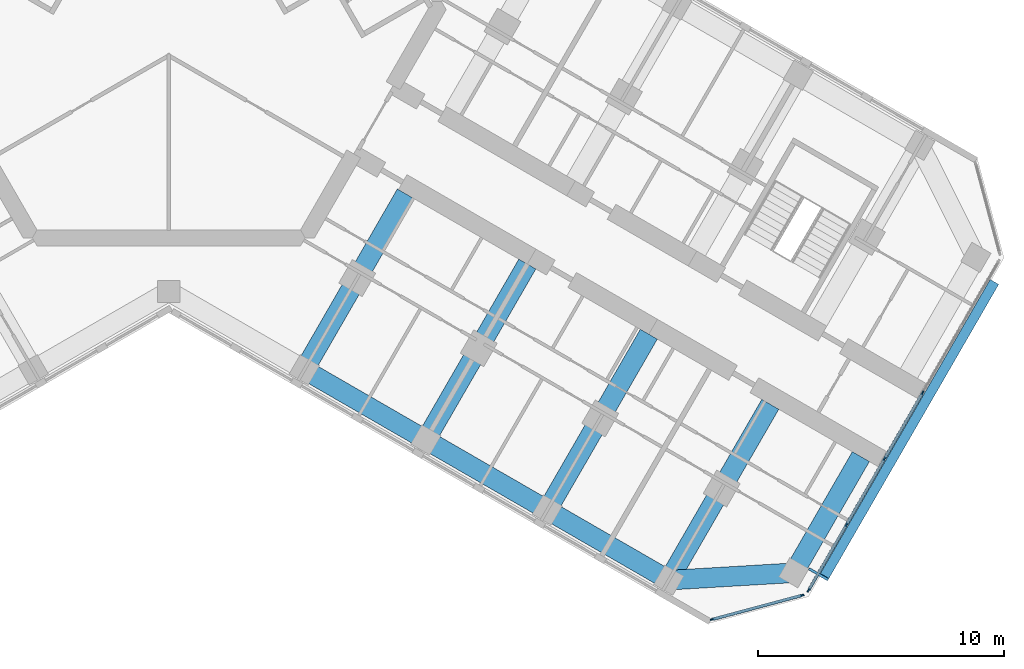
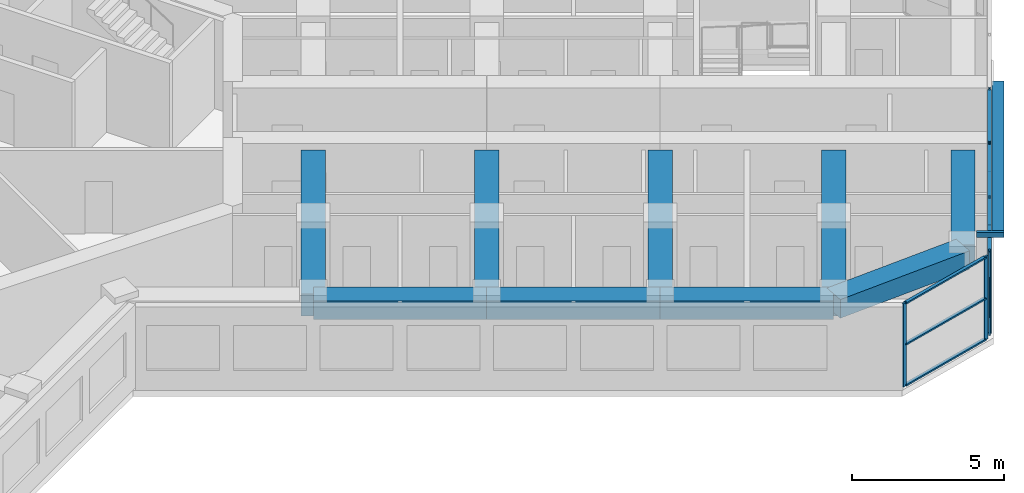
# One storey, part 4 of 16: 17 members, 9 beams, 2 elements without a shape of their own.
"""IFC4 building model written with IfcOpenShell, lengths in metres."""

from ifc_helpers import new_model, si_unit, direction, frame, origin, origin_2d, place, context, subcontext, project, spatial, rectangle, hollow_rectangle, extrude, material, material_profile, profile_set, type_object, element, aggregate, save


model = new_model("IFC4")

# Units and contexts
model_context = context("Model", 3, precision=1e-05, world=origin(), true_north=direction((0.0, 1.0)))
body_context = subcontext(model_context, "Body", "Model", "MODEL_VIEW")
ifc_project = project(units=[si_unit("LENGTHUNIT", "METRE"), si_unit("AREAUNIT", "SQUARE_METRE"), si_unit("VOLUMEUNIT", "CUBIC_METRE"), si_unit("PLANEANGLEUNIT", "RADIAN"), si_unit("MASSUNIT", "GRAM", prefix="KILO")], contexts=[model_context])

# Site, building, storey
site_placement = place(None, origin())
site = spatial("IfcSite", under=ifc_project, at=site_placement, CompositionType="ELEMENT")
building_placement = place(site_placement, origin())
building = spatial("IfcBuilding", under=site, at=building_placement, Name="Kosmar Iwan School Tower", CompositionType="ELEMENT")
storey_placement = place(building_placement, frame((0.0, 0.0, 204.60009765625)))
storey = spatial("IfcBuildingStorey", under=building, at=storey_placement, Name="L51", CompositionType="ELEMENT", Elevation=204.60009765625)

# Members
ifc_material_1 = material(Name="Black anodised aluminium", Category="aluminium")
ifc_material_profile_1 = material_profile(ifc_material_1, rectangle(XDim=0.10009765625, YDim=0.39990234375, at=origin_2d()), Name="FIN 100x400")
ifc_profile_set_1 = profile_set([ifc_material_profile_1], Name="Black anodised aluminium")
member_type_1 = type_object("IfcMemberType", Name="Diagonal fin 100x400", PredefinedType="USERDEFINED", material=ifc_profile_set_1)
member_1_placement = place(storey_placement, frame((33.54345703125, -11.40087890625, -0.150146484375), z_axis=(-0.483793446988, -0.837970316603, 0.25248692866), x_axis=(0.126241714543, 0.218661104574, 0.96760030532)))
element("IfcMember", 1, at=member_1_placement, inside=storey, type_object=member_type_1, Name="Diagonal fin L51-F01", ObjectType="FIN", PredefinedType="USERDEFINED", context=body_context, shape_type="SweptSolid", body=[
    extrude(rectangle(XDim=0.10009765625, YDim=0.39990234375, at=origin_2d()), origin(), (0.0, 0.0, 1.0), 14.258544921875),
])
ifc_material_2 = material(Name="Steel S355", Category="steel")
ifc_material_profile_2 = material_profile(ifc_material_2, hollow_rectangle(XDim=0.10009765625, YDim=0.199951171875, WallThickness=0.008056640625, at=origin_2d()), Name="RHS 200x100x8")
ifc_profile_set_2 = profile_set([ifc_material_profile_2], Name="Steel S355")
member_type_2 = type_object("IfcMemberType", Name="Fin bracket RHS 200x100", PredefinedType="USERDEFINED", material=ifc_profile_set_2)
member_2_placement = place(storey_placement, frame((26.01318359375, -23.0439453125, 3.474853515625), z_axis=(0.866013897511, -0.50001992892, 0.0), x_axis=(0.50001992892, 0.866013897511, 0.0)))
element("IfcMember", 2, at=member_2_placement, inside=storey, type_object=member_type_2, Name="Fin bracket L52", ObjectType="FIN BRACKET", PredefinedType="USERDEFINED", context=body_context, shape_type="SweptSolid", body=[
    extrude(hollow_rectangle(XDim=0.10009765625, YDim=0.199951171875, WallThickness=0.008056640625, at=origin_2d()), origin(), (0.0, 0.0, 1.0), 0.89990234375),
])

# Curtain wall, members
ifc_material_3 = material(Name="Dark glass in black aluminium frame", Category="aluminium")
curtain_wall_type_1 = type_object("IfcCurtainWallType", Name="Chamfer curtain wall dark glass", PredefinedType="USERDEFINED", material=ifc_material_3)
curtain_wall_1_placement = place(storey_placement, origin())
curtain_wall_1 = element("IfcCurtainWall", 3, at=curtain_wall_1_placement, inside=storey, type_object=curtain_wall_type_1, Name="Curtain wall L51-F00", ObjectType="FACETED CURTAIN WALL", PredefinedType="USERDEFINED")
ifc_material_4 = material(Name="Black anodised aluminium", Category="aluminium")
ifc_material_profile_3 = material_profile(ifc_material_4, rectangle(XDim=0.06005859375, YDim=0.159912109375, at=origin_2d()), Name="MULLION 60x160")
ifc_profile_set_3 = profile_set([ifc_material_profile_3], Name="Black anodised aluminium")
member_type_3 = type_object("IfcMemberType", Name="Mullion 60x160", PredefinedType="MULLION", material=ifc_profile_set_3)
member_3_placement = place(storey_placement, frame((22.0830078125, -25.102294921875, 0.0), z_axis=(0.0, 0.0, 1.0), x_axis=(-0.258818861462, 0.965925875495, 0.0)))
member_3 = element("IfcMember", 4, at=member_3_placement, type_object=member_type_3, Name="CW2 mullion 1", PredefinedType="MULLION", context=body_context, shape_type="SweptSolid", body=[
    extrude(rectangle(XDim=0.06005859375, YDim=0.159912109375, at=origin_2d()), origin(), (0.0, 0.0, 1.0), 3.349853515625),
])
member_4_placement = place(storey_placement, frame((25.733154296875, -24.124267578125, 0.0), z_axis=(0.0, 0.0, 1.0), x_axis=(-0.258818861462, 0.965925875495, 0.0)))
member_4 = element("IfcMember", 5, at=member_4_placement, type_object=member_type_3, Name="CW2 mullion 2", PredefinedType="MULLION", context=body_context, shape_type="SweptSolid", body=[
    extrude(rectangle(XDim=0.06005859375, YDim=0.159912109375, at=origin_2d()), origin(), (0.0, 0.0, 1.0), 3.349853515625),
])

ifc_material_5 = material(Name="Dark glass in black aluminium frame", Category="aluminium")
curtain_wall_type_2 = type_object("IfcCurtainWallType", Name="Tower curtain wall dark glass", PredefinedType="USERDEFINED", material=ifc_material_5)
curtain_wall_2_placement = place(storey_placement, origin())
curtain_wall_2 = element("IfcCurtainWall", 6, at=curtain_wall_2_placement, inside=storey, type_object=curtain_wall_type_2, Name="Curtain wall L51-F01", ObjectType="UNITISED CURTAIN WALL", PredefinedType="USERDEFINED")
member_5_placement = place(storey_placement, frame((25.9970703125, -23.921630859375, 0.0), z_axis=(0.0, 0.0, 1.0), x_axis=(-0.866025405329, 0.499999997325, 0.0)))
member_5 = element("IfcMember", 7, at=member_5_placement, type_object=member_type_3, Name="CW1 mullion 1", PredefinedType="MULLION", context=body_context, shape_type="SweptSolid", body=[
    extrude(rectangle(XDim=0.06005859375, YDim=0.159912109375, at=origin_2d()), origin(), (0.0, 0.0, 1.0), 3.349853515625),
])
member_6_placement = place(storey_placement, frame((27.53173828125, -21.263671875, 0.0), z_axis=(0.0, 0.0, 1.0), x_axis=(-0.866025405329, 0.499999997325, 0.0)))
member_6 = element("IfcMember", 8, at=member_6_placement, type_object=member_type_3, Name="CW1 mullion 2", PredefinedType="MULLION", context=body_context, shape_type="SweptSolid", body=[
    extrude(rectangle(XDim=0.06005859375, YDim=0.159912109375, at=origin_2d()), origin(), (0.0, 0.0, 1.0), 3.349853515625),
])
member_7_placement = place(storey_placement, frame((29.081298828125, -18.57958984375, 0.0), z_axis=(0.0, 0.0, 1.0), x_axis=(-0.866025405329, 0.499999997325, 0.0)))
member_7 = element("IfcMember", 9, at=member_7_placement, type_object=member_type_3, Name="CW1 mullion 3", PredefinedType="MULLION", context=body_context, shape_type="SweptSolid", body=[
    extrude(rectangle(XDim=0.06005859375, YDim=0.159912109375, at=origin_2d()), origin(), (0.0, 0.0, 1.0), 3.349853515625),
])
member_8_placement = place(storey_placement, frame((30.631103515625, -15.8955078125, 0.0), z_axis=(0.0, 0.0, 1.0), x_axis=(-0.866025405329, 0.499999997325, 0.0)))
member_8 = element("IfcMember", 10, at=member_8_placement, type_object=member_type_3, Name="CW1 mullion 4", PredefinedType="MULLION", context=body_context, shape_type="SweptSolid", body=[
    extrude(rectangle(XDim=0.06005859375, YDim=0.159912109375, at=origin_2d()), origin(), (0.0, 0.0, 1.0), 3.349853515625),
])

# Beams
ifc_material_6 = material(Name="Concrete C50/60", Category="concrete")
ifc_material_profile_4 = material_profile(ifc_material_6, rectangle(XDim=0.800048828125, YDim=0.75, at=origin_2d()), Name="RC 800x750")
ifc_profile_set_4 = profile_set([ifc_material_profile_4], Name="Concrete C50/60")
beam_type_1 = type_object("IfcBeamType", Name="RC edge beam 800x750", PredefinedType="BEAM", material=ifc_profile_set_4)
beam_1_placement = place(storey_placement, frame((5.5087890625, -14.95849609375, 2.974853515625), z_axis=(0.866033658841, -0.49998570155, 0.0), x_axis=(0.49998570155, 0.866033658841, 0.0)))
element("IfcBeam", 11, at=beam_1_placement, inside=storey, type_object=beam_type_1, Name="Edge beam CR2", PredefinedType="BEAM", context=body_context, shape_type="SweptSolid", body=[
    extrude(rectangle(XDim=0.800048828125, YDim=0.75, at=origin_2d()), origin(), (0.0, 0.0, 1.0), 5.699951171875),
])
beam_2_placement = place(storey_placement, frame((10.445068359375, -17.808349609375, 2.974853515625), z_axis=(0.866025820012, -0.499999279071, 0.0), x_axis=(0.499999279071, 0.866025820012, 0.0)))
element("IfcBeam", 12, at=beam_2_placement, inside=storey, type_object=beam_type_1, Name="Edge beam CR3", PredefinedType="BEAM", context=body_context, shape_type="SweptSolid", body=[
    extrude(rectangle(XDim=0.800048828125, YDim=0.75, at=origin_2d()), origin(), (0.0, 0.0, 1.0), 5.7001953125),
])
beam_3_placement = place(storey_placement, frame((15.381591796875, -20.658447265625, 2.974853515625), z_axis=(0.866015111908, -0.50001782563, 0.0), x_axis=(0.50001782563, 0.866015111908, 0.0)))
element("IfcBeam", 13, at=beam_3_placement, inside=storey, type_object=beam_type_1, Name="Edge beam CR4", PredefinedType="BEAM", context=body_context, shape_type="SweptSolid", body=[
    extrude(rectangle(XDim=0.800048828125, YDim=0.75, at=origin_2d()), origin(), (0.0, 0.0, 1.0), 5.699951171875),
])
ifc_material_7 = material(Name="Concrete C50/60", Category="concrete")
ifc_material_profile_5 = material_profile(ifc_material_7, rectangle(XDim=0.800048828125, YDim=0.75, at=origin_2d()), Name="RC 800x750")
ifc_profile_set_5 = profile_set([ifc_material_profile_5], Name="Concrete C50/60")
beam_type_2 = type_object("IfcBeamType", Name="RC tip beam 800x750", PredefinedType="BEAM", material=ifc_profile_set_5)
beam_4_placement = place(storey_placement, frame((20.31787109375, -23.508544921875, 2.974853515625), z_axis=(0.998260616478, 0.058955420358, 0.0), x_axis=(-0.058955420358, 0.998260616478, 0.0)))
element("IfcBeam", 14, at=beam_4_placement, inside=storey, type_object=beam_type_2, Name="Tip beam CR", PredefinedType="BEAM", context=body_context, shape_type="SweptSolid", body=[
    extrude(rectangle(XDim=0.800048828125, YDim=0.75, at=origin_2d()), origin(), (0.0, 0.0, 1.0), 5.08935546875),
])
beam_5_placement = place(storey_placement, frame((25.3984375, -23.20849609375, 2.974853515625), z_axis=(0.500022328685, 0.866012511928, 0.0), x_axis=(-0.866012511928, 0.500022328685, 0.0)))
element("IfcBeam", 15, at=beam_5_placement, inside=storey, type_object=beam_type_2, Name="Tip beam CR to corridor wall", PredefinedType="BEAM", context=body_context, shape_type="SweptSolid", body=[
    extrude(rectangle(XDim=0.800048828125, YDim=0.75, at=origin_2d()), origin(), (0.0, 0.0, 1.0), 5.449951171875),
])
ifc_material_8 = material(Name="Concrete C50/60", Category="concrete")
ifc_material_profile_6 = material_profile(ifc_material_8, rectangle(XDim=0.800048828125, YDim=0.89990234375, at=origin_2d()), Name="RC 800x900")
ifc_profile_set_6 = profile_set([ifc_material_profile_6], Name="Concrete C50/60")
beam_type_3 = type_object("IfcBeamType", Name="RC transverse beam 800x900", PredefinedType="BEAM", material=ifc_profile_set_6)
beam_6_placement = place(storey_placement, frame((5.5087890625, -14.95849609375, 2.89990234375), z_axis=(0.499996545922, 0.866027397988, 0.0), x_axis=(-0.866027397988, 0.499996545922, 0.0)))
element("IfcBeam", 16, at=beam_6_placement, inside=storey, type_object=beam_type_3, Name="Transverse beam CR1", PredefinedType="BEAM", context=body_context, shape_type="SweptSolid", body=[
    extrude(rectangle(XDim=0.800048828125, YDim=0.89990234375, at=origin_2d()), origin(), (0.0, 0.0, 1.0), 8.25),
])
beam_7_placement = place(storey_placement, frame((10.445068359375, -17.808349609375, 2.89990234375), z_axis=(0.500009360108, 0.866019999656, 0.0), x_axis=(-0.866019999656, 0.500009360108, 0.0)))
element("IfcBeam", 17, at=beam_7_placement, inside=storey, type_object=beam_type_3, Name="Transverse beam CR2", PredefinedType="BEAM", context=body_context, shape_type="SweptSolid", body=[
    extrude(rectangle(XDim=0.800048828125, YDim=0.89990234375, at=origin_2d()), origin(), (0.0, 0.0, 1.0), 8.249755859375),
])
for number, where, z_axis, x_axis, name in (
    (18, (15.381591796875, -20.658447265625, 2.89990234375), (0.499996545922, 0.866027397988, 0.0), (-0.866027397988, 0.499996545922, 0.0), "Transverse beam CR3"),
    (19, (20.31787109375, -23.508544921875, 2.89990234375), (0.499996545922, 0.866027397988, 0.0), (-0.866027397988, 0.499996545922, 0.0), "Transverse beam CR4"),
):
    element("IfcBeam", number, at=place(storey_placement, frame(where, z_axis=z_axis, x_axis=x_axis)), inside=storey, type_object=beam_type_3, Name=name, PredefinedType="BEAM", context=body_context, shape_type="SweptSolid", body=[
        extrude(rectangle(XDim=0.800048828125, YDim=0.89990234375, at=origin_2d()), origin(), (0.0, 0.0, 1.0), 8.25),
    ])

# Member
ifc_material_9 = material(Name="Black anodised aluminium", Category="aluminium")
ifc_material_profile_7 = material_profile(ifc_material_9, rectangle(XDim=0.1201171875, YDim=0.06005859375, at=origin_2d()), Name="TRANSOM 60x120")
ifc_profile_set_7 = profile_set([ifc_material_profile_7], Name="Black anodised aluminium")
member_type_4 = type_object("IfcMemberType", Name="Transom 60x120", PredefinedType="USERDEFINED", material=ifc_profile_set_7)
member_9_placement = place(storey_placement, frame((22.11181640625, -25.094482421875, 0.02978515625), z_axis=(0.965923731726, 0.258826861991, 0.0), x_axis=(-0.258826861991, 0.965923731726, 0.0)))
member_9 = element("IfcMember", 20, at=member_9_placement, type_object=member_type_4, Name="CW2 transom 1.1", ObjectType="TRANSOM", PredefinedType="USERDEFINED", context=body_context, shape_type="SweptSolid", body=[
    extrude(rectangle(XDim=0.1201171875, YDim=0.06005859375, at=origin_2d()), origin(), (0.0, 0.0, 1.0), 3.71923828125),
])

member_10_placement = place(storey_placement, frame((22.11181640625, -25.094482421875, 1.6748046875), z_axis=(0.965923731726, 0.258826861991, 0.0), x_axis=(-0.258826861991, 0.965923731726, 0.0)))
member_10 = element("IfcMember", 21, at=member_10_placement, type_object=member_type_4, Name="CW2 transom 1.2", ObjectType="TRANSOM", PredefinedType="USERDEFINED", context=body_context, shape_type="SweptSolid", body=[
    extrude(rectangle(XDim=0.1201171875, YDim=0.06005859375, at=origin_2d()), origin(), (0.0, 0.0, 1.0), 3.71923828125),
])

member_11_placement = place(storey_placement, frame((22.11181640625, -25.094482421875, 3.31982421875), z_axis=(0.965923731726, 0.258826861991, 0.0), x_axis=(-0.258826861991, 0.965923731726, 0.0)))
member_11 = element("IfcMember", 22, at=member_11_placement, type_object=member_type_4, Name="CW2 transom 1.3", ObjectType="TRANSOM", PredefinedType="USERDEFINED", context=body_context, shape_type="SweptSolid", body=[
    extrude(rectangle(XDim=0.1201171875, YDim=0.06005859375, at=origin_2d()), origin(), (0.0, 0.0, 1.0), 3.71923828125),
])

aggregate(curtain_wall_1, [member_3, member_4, member_9, member_10, member_11])

member_12_placement = place(storey_placement, frame((26.01220703125, -23.895751953125, 0.02978515625), z_axis=(0.499986971506, 0.866032925658, 0.0), x_axis=(-0.866032925658, 0.499986971506, 0.0)))
member_12 = element("IfcMember", 23, at=member_12_placement, type_object=member_type_4, Name="CW1 transom 1.1", ObjectType="TRANSOM", PredefinedType="USERDEFINED", context=body_context, shape_type="SweptSolid", body=[
    extrude(rectangle(XDim=0.1201171875, YDim=0.06005859375, at=origin_2d()), origin(), (0.0, 0.0, 1.0), 3.00927734375),
])

member_13_placement = place(storey_placement, frame((26.01220703125, -23.895751953125, 3.31982421875), z_axis=(0.499986971506, 0.866032925658, 0.0), x_axis=(-0.866032925658, 0.499986971506, 0.0)))
member_13 = element("IfcMember", 24, at=member_13_placement, type_object=member_type_4, Name="CW1 transom 1.2", ObjectType="TRANSOM", PredefinedType="USERDEFINED", context=body_context, shape_type="SweptSolid", body=[
    extrude(rectangle(XDim=0.1201171875, YDim=0.06005859375, at=origin_2d()), origin(), (0.0, 0.0, 1.0), 3.00927734375),
])

member_14_placement = place(storey_placement, frame((27.546875, -21.237548828125, 0.02978515625), z_axis=(0.499975102327, 0.866039777986, 0.0), x_axis=(-0.866039777986, 0.499975102327, 0.0)))
member_14 = element("IfcMember", 25, at=member_14_placement, type_object=member_type_4, Name="CW1 transom 2.1", ObjectType="TRANSOM", PredefinedType="USERDEFINED", context=body_context, shape_type="SweptSolid", body=[
    extrude(rectangle(XDim=0.1201171875, YDim=0.06005859375, at=origin_2d()), origin(), (0.0, 0.0, 1.0), 3.039306640625),
])

member_15_placement = place(storey_placement, frame((27.546875, -21.237548828125, 3.31982421875), z_axis=(0.499975102327, 0.866039777986, 0.0), x_axis=(-0.866039777986, 0.499975102327, 0.0)))
member_15 = element("IfcMember", 26, at=member_15_placement, type_object=member_type_4, Name="CW1 transom 2.2", ObjectType="TRANSOM", PredefinedType="USERDEFINED", context=body_context, shape_type="SweptSolid", body=[
    extrude(rectangle(XDim=0.1201171875, YDim=0.06005859375, at=origin_2d()), origin(), (0.0, 0.0, 1.0), 3.039306640625),
])

member_16_placement = place(storey_placement, frame((29.096435546875, -18.553466796875, 0.02978515625), z_axis=(0.499975102327, 0.866039777986, 0.0), x_axis=(-0.866039777986, 0.499975102327, 0.0)))
member_16 = element("IfcMember", 27, at=member_16_placement, type_object=member_type_4, Name="CW1 transom 3.1", ObjectType="TRANSOM", PredefinedType="USERDEFINED", context=body_context, shape_type="SweptSolid", body=[
    extrude(rectangle(XDim=0.1201171875, YDim=0.06005859375, at=origin_2d()), origin(), (0.0, 0.0, 1.0), 3.039306640625),
])

member_17_placement = place(storey_placement, frame((29.096435546875, -18.553466796875, 3.31982421875), z_axis=(0.499975102327, 0.866039777986, 0.0), x_axis=(-0.866039777986, 0.499975102327, 0.0)))
member_17 = element("IfcMember", 28, at=member_17_placement, type_object=member_type_4, Name="CW1 transom 3.2", ObjectType="TRANSOM", PredefinedType="USERDEFINED", context=body_context, shape_type="SweptSolid", body=[
    extrude(rectangle(XDim=0.1201171875, YDim=0.06005859375, at=origin_2d()), origin(), (0.0, 0.0, 1.0), 3.039306640625),
])

aggregate(curtain_wall_2, [member_5, member_6, member_7, member_8, member_12, member_13, member_14, member_15, member_16, member_17])

save(model, "model.ifc")
